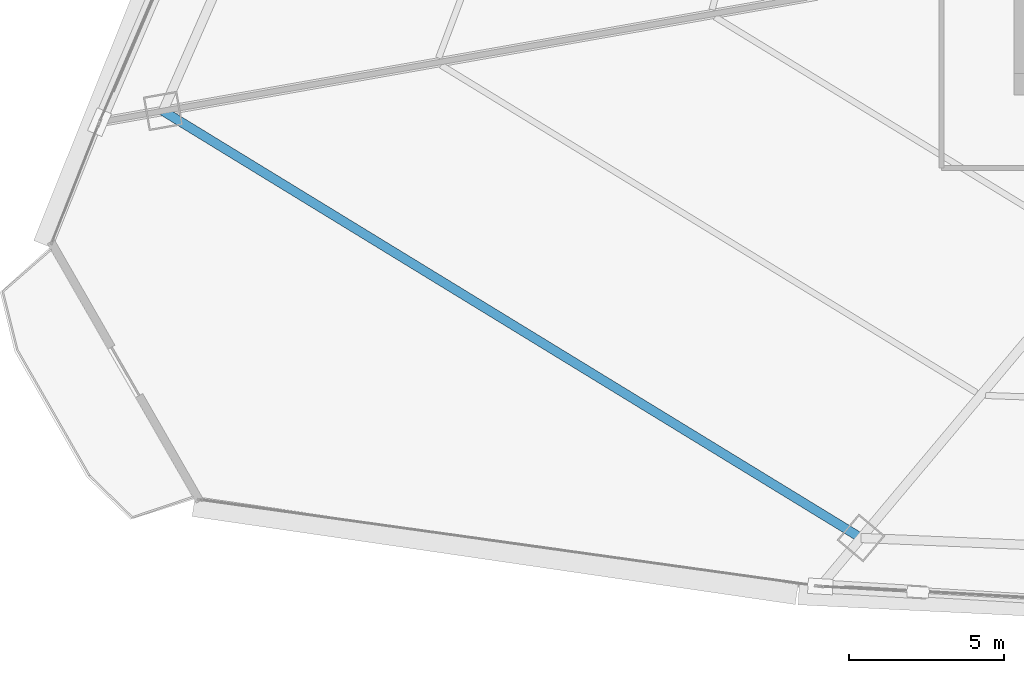
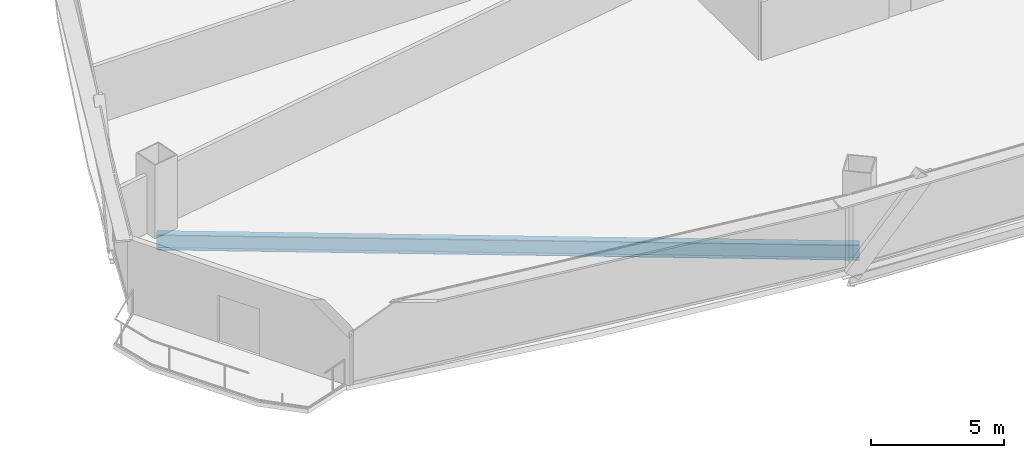
# One storey, part 5 of 38: 1 beam.
"""IFC4 building model written with IfcOpenShell, lengths in metres."""

from ifc_helpers import new_model, si_unit, direction, frame, origin, origin_2d, place, context, subcontext, project, spatial, i_section, extrude, source, transform, mapped, material, material_profile, profile_set, type_object, element, save


model = new_model("IFC4")

# Units and contexts
model_context = context("Model", 3, precision=1e-05, world=origin(), true_north=direction((0.0, 1.0)))
body_context = subcontext(model_context, "Body", "Model", "MODEL_VIEW")
ifc_project = project(units=[si_unit("LENGTHUNIT", "METRE"), si_unit("AREAUNIT", "SQUARE_METRE"), si_unit("VOLUMEUNIT", "CUBIC_METRE"), si_unit("PLANEANGLEUNIT", "RADIAN"), si_unit("MASSUNIT", "GRAM", prefix="KILO"), si_unit("THERMODYNAMICTEMPERATUREUNIT", "KELVIN"), si_unit("POWERUNIT", "WATT")], contexts=[model_context])

# Site, building, storey
site_placement = place(None, origin())
site = spatial("IfcSite", under=ifc_project, at=site_placement, CompositionType="ELEMENT")
building_placement = place(site_placement, origin())
building = spatial("IfcBuilding", under=site, at=building_placement, Name="Yunzhuo Pagoda Commons", CompositionType="ELEMENT")
storey_placement = place(building_placement, frame((0.0, 0.0, 34.030029296875)))
storey = spatial("IfcBuildingStorey", under=building, at=storey_placement, Name="L08", CompositionType="ELEMENT", Elevation=34.030029296875)

# Beam
ifc_material = material(Name="Structural steel Q355B", Category="steel")
ifc_material_profile = material_profile(ifc_material, i_section(OverallWidth=0.300048828125, OverallDepth=0.699951171875, WebThickness=0.012939453125, FlangeThickness=0.02392578125, at=origin_2d()), Name="Structural steel Q355B")
ifc_profile_set = profile_set([ifc_material_profile], Name="Structural steel Q355B")
beam_type = type_object("IfcBeamType", Name="B-RG1 Beam HN 700x300x13x24", PredefinedType="BEAM", material=ifc_profile_set)
shared_shape = source(origin(), body_context, "Body", "SweptSolid", [
    extrude(i_section(OverallWidth=0.300048828125, OverallDepth=0.699951171875, WebThickness=0.012939453125, FlangeThickness=0.02392578125, at=origin_2d()), origin(), (0.0, 0.0, 1.0), 26.432373046875),
])
beam_placement = place(storey_placement, frame((7.952392578125, 26.638427734375, -0.610107421875), z_axis=(0.853031728928, -0.521859051318, 0.0), x_axis=(0.521859051318, 0.853031728928, 0.0)))
element("IfcBeam", 1, at=beam_placement, inside=storey, type_object=beam_type, Name="L08 column-ring beam 12", PredefinedType="BEAM", context=body_context, shape_type="MappedRepresentation", body=[
    mapped(shared_shape, transform((0.0, 0.0, 0.0), scale=1.0)),
])

save(model, "model.ifc")
